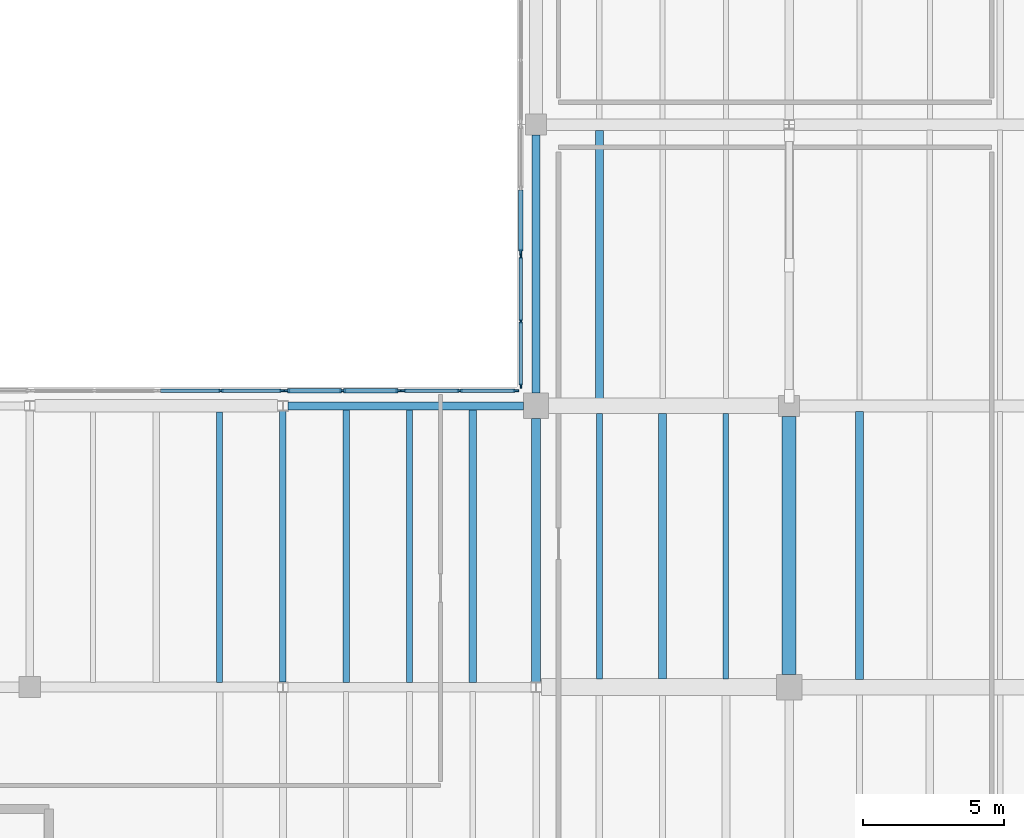
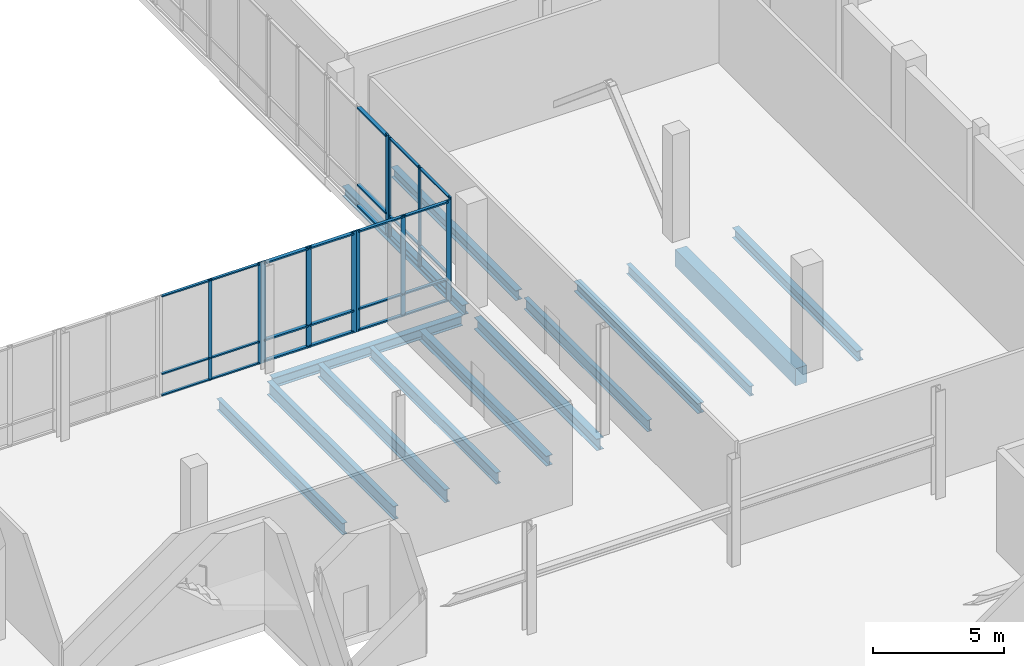
# One storey, part 37 of 88: 39 members, 14 beams, 5 elements without a shape of their own.
"""IFC4 building model written with IfcOpenShell, lengths in metres."""

from ifc_helpers import new_model, si_unit, direction, frame, origin, origin_2d, place, context, subcontext, project, spatial, rectangle, i_section, extrude, material, material_profile, profile_set, type_object, element, aggregate, save


model = new_model("IFC4")

# Units and contexts
model_context = context("Model", 3, precision=1e-05, world=origin(), true_north=direction((0.0, 1.0)))
body_context = subcontext(model_context, "Body", "Model", "MODEL_VIEW")
ifc_project = project(units=[si_unit("LENGTHUNIT", "METRE"), si_unit("AREAUNIT", "SQUARE_METRE"), si_unit("VOLUMEUNIT", "CUBIC_METRE"), si_unit("PLANEANGLEUNIT", "RADIAN"), si_unit("MASSUNIT", "GRAM", prefix="KILO")], contexts=[model_context])

# Site, building, storey
site_placement = place(None, origin())
site = spatial("IfcSite", under=ifc_project, at=site_placement, CompositionType="ELEMENT")
building_placement = place(site_placement, origin())
building = spatial("IfcBuilding", under=site, at=building_placement, Name="Trimount Lyric Opera House", CompositionType="ELEMENT")
storey_placement = place(building_placement, origin())
storey = spatial("IfcBuildingStorey", under=building, at=storey_placement, Name="L00", CompositionType="ELEMENT", Elevation=0.0)

# Beams
ifc_material_1 = material(Name="Steel ASTM A992 Grade 50", Category="steel")
ifc_material_profile_1 = material_profile(ifc_material_1, i_section(OverallWidth=0.22998046875, OverallDepth=0.616943359375, WebThickness=0.01318359375, FlangeThickness=0.022216796875, FilletRadius=0.013916015625, at=origin_2d()), Name="W24X94")
ifc_profile_set_1 = profile_set([ifc_material_profile_1], Name="Steel ASTM A992 Grade 50")
beam_type_1 = type_object("IfcBeamType", Name="B-11", PredefinedType="BEAM", material=ifc_profile_set_1)
beam_1_placement = place(storey_placement, frame((36.0, 64.177978515625, -0.658447265625), z_axis=(0.0, 1.0, 0.0), x_axis=(-1.0, 0.0, 0.0)))
element("IfcBeam", 1, at=beam_1_placement, inside=storey, type_object=beam_type_1, Name="L00 girder Y-0280", PredefinedType="BEAM", context=body_context, shape_type="SweptSolid", body=[
    extrude(i_section(OverallWidth=0.22998046875, OverallDepth=0.616943359375, WebThickness=0.01318359375, FlangeThickness=0.022216796875, FilletRadius=0.013916015625, at=origin_2d()), origin(), (0.0, 0.0, 1.0), 9.637939453125),
])
ifc_material_2 = material(Name="Steel ASTM A992 Grade 50", Category="steel")
ifc_material_profile_2 = material_profile(ifc_material_2, i_section(OverallWidth=0.31201171875, OverallDepth=0.5458984375, WebThickness=0.013916015625, FlangeThickness=0.022216796875, FilletRadius=0.014892578125, at=origin_2d()), Name="W21X111")
ifc_profile_set_2 = profile_set([ifc_material_profile_2], Name="Steel ASTM A992 Grade 50")
beam_type_2 = type_object("IfcBeamType", Name="B-12", PredefinedType="BEAM", material=ifc_profile_set_2)
beam_2_placement = place(storey_placement, frame((45.0, 64.18408203125, -0.623046875), z_axis=(0.0, 1.0, 0.0), x_axis=(-1.0, 0.0, 0.0)))
element("IfcBeam", 2, at=beam_2_placement, inside=storey, type_object=beam_type_2, Name="L00 girder Y-0290", PredefinedType="BEAM", context=body_context, shape_type="SweptSolid", body=[
    extrude(i_section(OverallWidth=0.31201171875, OverallDepth=0.5458984375, WebThickness=0.013916015625, FlangeThickness=0.022216796875, FilletRadius=0.014892578125, at=origin_2d()), origin(), (0.0, 0.0, 1.0), 9.365966796875),
])
ifc_material_3 = material(Name="Concrete C40/50", Category="concrete")
ifc_material_profile_3 = material_profile(ifc_material_3, rectangle(XDim=0.5, YDim=0.800048828125, at=origin_2d()), Name="RC500X800")
ifc_profile_set_3 = profile_set([ifc_material_profile_3], Name="Concrete C40/50")
beam_type_3 = type_object("IfcBeamType", Name="B-15", PredefinedType="BEAM", material=ifc_profile_set_3)
beam_3_placement = place(storey_placement, frame((54.0, 64.449951171875, -0.75), z_axis=(0.0, 1.0, 0.0), x_axis=(-1.0, 0.0, 0.0)))
element("IfcBeam", 3, at=beam_3_placement, inside=storey, type_object=beam_type_3, Name="L00 girder Y-0303", PredefinedType="BEAM", context=body_context, shape_type="SweptSolid", body=[
    extrude(rectangle(XDim=0.5, YDim=0.800048828125, at=origin_2d()), origin(), (0.0, 0.0, 1.0), 9.175048828125),
])
ifc_material_4 = material(Name="Steel ASTM A992 Grade 50", Category="steel")
ifc_material_profile_4 = material_profile(ifc_material_4, i_section(OverallWidth=0.22802734375, OverallDepth=0.60205078125, WebThickness=0.010498046875, FlangeThickness=0.014892578125, FilletRadius=0.012939453125, at=origin_2d()), Name="W24X68")
ifc_profile_set_4 = profile_set([ifc_material_profile_4], Name="Steel ASTM A992 Grade 50")
beam_type_4 = type_object("IfcBeamType", Name="J-01", PredefinedType="BEAM", material=ifc_profile_set_4)
beam_4_placement = place(storey_placement, frame((38.25, 64.159912109375, -0.65087890625), z_axis=(0.0, 1.0, 0.0), x_axis=(-1.0, 0.0, 0.0)))
element("IfcBeam", 4, at=beam_4_placement, inside=storey, type_object=beam_type_4, Name="L00 composite floor joist 0107", PredefinedType="BEAM", context=body_context, shape_type="SweptSolid", body=[
    extrude(i_section(OverallWidth=0.22802734375, OverallDepth=0.60205078125, WebThickness=0.010498046875, FlangeThickness=0.014892578125, FilletRadius=0.012939453125, at=origin_2d()), origin(), (0.0, 0.0, 1.0), 9.703125),
])
ifc_material_5 = material(Name="Steel ASTM A992 Grade 50", Category="steel")
ifc_material_profile_5 = material_profile(ifc_material_5, i_section(OverallWidth=0.2099609375, OverallDepth=0.532958984375, WebThickness=0.01025390625, FlangeThickness=0.015625, FilletRadius=0.012939453125, at=origin_2d()), Name="W21X62")
ifc_profile_set_5 = profile_set([ifc_material_profile_5], Name="Steel ASTM A992 Grade 50")
beam_type_5 = type_object("IfcBeamType", Name="J-02", PredefinedType="BEAM", material=ifc_profile_set_5)
beam_5_placement = place(storey_placement, frame((33.75, 64.174072265625, -0.616455078125), z_axis=(0.0, 1.0, 0.0), x_axis=(-1.0, 0.0, 0.0)))
element("IfcBeam", 5, at=beam_5_placement, inside=storey, type_object=beam_type_5, Name="L00 composite floor joist 0091", PredefinedType="BEAM", context=body_context, shape_type="SweptSolid", body=[
    extrude(i_section(OverallWidth=0.2099609375, OverallDepth=0.532958984375, WebThickness=0.01025390625, FlangeThickness=0.015625, FilletRadius=0.012939453125, at=origin_2d()), origin(), (0.0, 0.0, 1.0), 9.60498046875),
])
beam_6_placement = place(storey_placement, frame((40.5, 64.159912109375, -0.616455078125), z_axis=(0.0, 1.0, 0.0), x_axis=(-1.0, 0.0, 0.0)))
element("IfcBeam", 6, at=beam_6_placement, inside=storey, type_object=beam_type_5, Name="L00 composite floor joist 0108", PredefinedType="BEAM", context=body_context, shape_type="SweptSolid", body=[
    extrude(i_section(OverallWidth=0.2099609375, OverallDepth=0.532958984375, WebThickness=0.01025390625, FlangeThickness=0.015625, FilletRadius=0.012939453125, at=origin_2d()), origin(), (0.0, 0.0, 1.0), 9.703125),
])
beam_7_placement = place(storey_placement, frame((47.25, 64.2958984375, -0.616455078125), z_axis=(0.0, 1.0, 0.0), x_axis=(-1.0, 0.0, 0.0)))
element("IfcBeam", 7, at=beam_7_placement, inside=storey, type_object=beam_type_5, Name="L00 composite floor joist 0136", PredefinedType="BEAM", context=body_context, shape_type="SweptSolid", body=[
    extrude(i_section(OverallWidth=0.2099609375, OverallDepth=0.532958984375, WebThickness=0.01025390625, FlangeThickness=0.015625, FilletRadius=0.012939453125, at=origin_2d()), origin(), (0.0, 0.0, 1.0), 9.43310546875),
])
ifc_material_6 = material(Name="Steel ASTM A992 Grade 50", Category="steel")
ifc_material_profile_6 = material_profile(ifc_material_6, i_section(OverallWidth=0.281982421875, OverallDepth=0.467041015625, WebThickness=0.01220703125, FlangeThickness=0.01953125, FilletRadius=0.012939453125, at=origin_2d()), Name="W18X86")
ifc_profile_set_6 = profile_set([ifc_material_profile_6], Name="Steel ASTM A992 Grade 50")
beam_type_6 = type_object("IfcBeamType", Name="J-03", PredefinedType="BEAM", material=ifc_profile_set_6)
beam_8_placement = place(storey_placement, frame((42.75, 64.159912109375, -0.58349609375), z_axis=(0.0, 1.0, 0.0), x_axis=(-1.0, 0.0, 0.0)))
element("IfcBeam", 8, at=beam_8_placement, inside=storey, type_object=beam_type_6, Name="L00 composite floor joist 0109", PredefinedType="BEAM", context=body_context, shape_type="SweptSolid", body=[
    extrude(i_section(OverallWidth=0.281982421875, OverallDepth=0.467041015625, WebThickness=0.01220703125, FlangeThickness=0.01953125, FilletRadius=0.012939453125, at=origin_2d()), origin(), (0.0, 0.0, 1.0), 9.703125),
])
beam_9_placement = place(storey_placement, frame((49.5, 64.2958984375, -0.58349609375), z_axis=(0.0, 1.0, 0.0), x_axis=(-1.0, 0.0, 0.0)))
element("IfcBeam", 9, at=beam_9_placement, inside=storey, type_object=beam_type_6, Name="L00 composite floor joist 0137", PredefinedType="BEAM", context=body_context, shape_type="SweptSolid", body=[
    extrude(i_section(OverallWidth=0.281982421875, OverallDepth=0.467041015625, WebThickness=0.01220703125, FlangeThickness=0.01953125, FilletRadius=0.012939453125, at=origin_2d()), origin(), (0.0, 0.0, 1.0), 9.43310546875),
])
for number, where, z_axis, x_axis, name in (
    (10, (47.25, 74.27099609375, -0.58349609375), (0.0, 1.0, 0.0), (-1.0, 0.0, 0.0), "L00 composite floor joist 0139"),
    (11, (56.5, 64.27099609375, -0.58349609375), (0.0, 1.0, 0.0), (-1.0, 0.0, 0.0), "L00 composite floor joist 0172"),
):
    element("IfcBeam", number, at=place(storey_placement, frame(where, z_axis=z_axis, x_axis=x_axis)), inside=storey, type_object=beam_type_6, Name=name, PredefinedType="BEAM", context=body_context, shape_type="SweptSolid", body=[
        extrude(i_section(OverallWidth=0.281982421875, OverallDepth=0.467041015625, WebThickness=0.01220703125, FlangeThickness=0.01953125, FilletRadius=0.012939453125, at=origin_2d()), origin(), (0.0, 0.0, 1.0), 9.5234375),
    ])
ifc_material_7 = material(Name="Steel ASTM A992 Grade 50", Category="steel")
ifc_material_profile_7 = material_profile(ifc_material_7, i_section(OverallWidth=0.19091796875, OverallDepth=0.45703125, WebThickness=0.009033203125, FlangeThickness=0.014404296875, FilletRadius=0.010986328125, at=origin_2d()), Name="W18X50")
ifc_profile_set_7 = profile_set([ifc_material_profile_7], Name="Steel ASTM A992 Grade 50")
beam_type_7 = type_object("IfcBeamType", Name="J-04", PredefinedType="BEAM", material=ifc_profile_set_7)
beam_10_placement = place(storey_placement, frame((51.75, 64.2958984375, -0.57861328125), z_axis=(0.0, 1.0, 0.0), x_axis=(-1.0, 0.0, 0.0)))
element("IfcBeam", 12, at=beam_10_placement, inside=storey, type_object=beam_type_7, Name="L00 composite floor joist 0138", PredefinedType="BEAM", context=body_context, shape_type="SweptSolid", body=[
    extrude(i_section(OverallWidth=0.19091796875, OverallDepth=0.45703125, WebThickness=0.009033203125, FlangeThickness=0.014404296875, FilletRadius=0.010986328125, at=origin_2d()), origin(), (0.0, 0.0, 1.0), 9.43310546875),
])

# Curtain wall, member
ifc_material_8 = material(Name="Thermally Broken Aluminium and Low-E Glass", Category="aluminium")
curtain_wall_type = type_object("IfcCurtainWallType", Name="CW-03", PredefinedType="NOTDEFINED", material=ifc_material_8)
curtain_wall_1_placement = place(storey_placement, origin())
curtain_wall_1 = element("IfcCurtainWall", 13, at=curtain_wall_1_placement, inside=storey, type_object=curtain_wall_type, Name="L00 curtain wall 060", PredefinedType="NOTDEFINED")
ifc_material_9 = material(Name="Anodised Aluminium 6063-T6", Category="aluminium")
ifc_material_profile_8 = material_profile(ifc_material_9, rectangle(XDim=0.070068359375, YDim=0.219970703125, at=origin_2d()), Name="ALU-MULL-70X220")
ifc_profile_set_8 = profile_set([ifc_material_profile_8], Name="Anodised Aluminium 6063-T6")
member_type_1 = type_object("IfcMemberType", Name="ML-01", PredefinedType="MULLION", material=ifc_profile_set_8)
member_1_placement = place(storey_placement, frame((44.4599609375, 79.465087890625, 0.0), z_axis=(0.0, 0.0, 1.0), x_axis=(-1.0, 0.0, 0.0)))
member_1 = element("IfcMember", 14, at=member_1_placement, type_object=member_type_1, Name="CW-03 mullion 1", PredefinedType="MULLION", context=body_context, shape_type="SweptSolid", body=[
    extrude(rectangle(XDim=0.070068359375, YDim=0.219970703125, at=origin_2d()), origin(), (0.0, 0.0, 1.0), 4.719970703125),
])

# Curtain wall, members
curtain_wall_2_placement = place(storey_placement, origin())
curtain_wall_2 = element("IfcCurtainWall", 15, at=curtain_wall_2_placement, inside=storey, type_object=curtain_wall_type, Name="L00 curtain wall 081", PredefinedType="NOTDEFINED")
member_2_placement = place(storey_placement, frame((36.125, 74.5400390625, 0.0), z_axis=(0.0, 0.0, 1.0), x_axis=(0.0, 1.0, 0.0)))
member_2 = element("IfcMember", 16, at=member_2_placement, type_object=member_type_1, Name="CW-03 mullion 1", PredefinedType="MULLION", context=body_context, shape_type="SweptSolid", body=[
    extrude(rectangle(XDim=0.070068359375, YDim=0.219970703125, at=origin_2d()), origin(), (0.0, 0.0, 1.0), 4.719970703125),
])
member_3_placement = place(storey_placement, frame((38.125, 74.5400390625, 0.0), z_axis=(0.0, 0.0, 1.0), x_axis=(0.0, 1.0, 0.0)))
member_3 = element("IfcMember", 17, at=member_3_placement, type_object=member_type_1, Name="CW-03 mullion 2", PredefinedType="MULLION", context=body_context, shape_type="SweptSolid", body=[
    extrude(rectangle(XDim=0.070068359375, YDim=0.219970703125, at=origin_2d()), origin(), (0.0, 0.0, 1.0), 4.719970703125),
])
member_4_placement = place(storey_placement, frame((40.125, 74.5400390625, 0.0), z_axis=(0.0, 0.0, 1.0), x_axis=(0.0, 1.0, 0.0)))
member_4 = element("IfcMember", 18, at=member_4_placement, type_object=member_type_1, Name="CW-03 mullion 3", PredefinedType="MULLION", context=body_context, shape_type="SweptSolid", body=[
    extrude(rectangle(XDim=0.070068359375, YDim=0.219970703125, at=origin_2d()), origin(), (0.0, 0.0, 1.0), 4.719970703125),
])

curtain_wall_3_placement = place(storey_placement, origin())
curtain_wall_3 = element("IfcCurtainWall", 19, at=curtain_wall_3_placement, inside=storey, type_object=curtain_wall_type, Name="L00 curtain wall 082", PredefinedType="NOTDEFINED")
ifc_material_10 = material(Name="Anodised Aluminium 6063-T6", Category="aluminium")
ifc_material_profile_9 = material_profile(ifc_material_10, rectangle(XDim=0.06494140625, YDim=0.179931640625, at=origin_2d()), Name="ALU-MULL-65X180")
ifc_profile_set_9 = profile_set([ifc_material_profile_9], Name="Anodised Aluminium 6063-T6")
member_type_2 = type_object("IfcMemberType", Name="ML-02", PredefinedType="MULLION", material=ifc_profile_set_9)
member_5_placement = place(storey_placement, frame((40.282470703125, 74.5400390625, 0.0), z_axis=(0.0, 0.0, 1.0), x_axis=(0.0, 1.0, 0.0)))
member_5 = element("IfcMember", 20, at=member_5_placement, type_object=member_type_2, Name="CW-03 mullion 1", PredefinedType="MULLION", context=body_context, shape_type="SweptSolid", body=[
    extrude(rectangle(XDim=0.06494140625, YDim=0.179931640625, at=origin_2d()), origin(), (0.0, 0.0, 1.0), 4.719970703125),
])
member_6_placement = place(storey_placement, frame((42.284912109375, 74.5400390625, 0.0), z_axis=(0.0, 0.0, 1.0), x_axis=(0.0, 1.0, 0.0)))
member_6 = element("IfcMember", 21, at=member_6_placement, type_object=member_type_2, Name="CW-03 mullion 2", PredefinedType="MULLION", context=body_context, shape_type="SweptSolid", body=[
    extrude(rectangle(XDim=0.06494140625, YDim=0.179931640625, at=origin_2d()), origin(), (0.0, 0.0, 1.0), 4.719970703125),
])
member_7_placement = place(storey_placement, frame((44.28759765625, 74.5400390625, 0.0), z_axis=(0.0, 0.0, 1.0), x_axis=(0.0, 1.0, 0.0)))
member_7 = element("IfcMember", 22, at=member_7_placement, type_object=member_type_2, Name="CW-03 mullion 3", PredefinedType="MULLION", context=body_context, shape_type="SweptSolid", body=[
    extrude(rectangle(XDim=0.06494140625, YDim=0.179931640625, at=origin_2d()), origin(), (0.0, 0.0, 1.0), 4.719970703125),
])

curtain_wall_4_placement = place(storey_placement, origin())
curtain_wall_4 = element("IfcCurtainWall", 23, at=curtain_wall_4_placement, inside=storey, type_object=curtain_wall_type, Name="L00 curtain wall 059", PredefinedType="NOTDEFINED")
ifc_material_11 = material(Name="Anodised Aluminium 6063-T6", Category="aluminium")
ifc_material_profile_10 = material_profile(ifc_material_11, rectangle(XDim=0.06005859375, YDim=0.14990234375, at=origin_2d()), Name="ALU-MULL-60X150")
ifc_profile_set_10 = profile_set([ifc_material_profile_10], Name="Anodised Aluminium 6063-T6")
member_type_3 = type_object("IfcMemberType", Name="ML-03", PredefinedType="MULLION", material=ifc_profile_set_10)
member_8_placement = place(storey_placement, frame((44.4599609375, 74.7099609375, 0.0), z_axis=(0.0, 0.0, 1.0), x_axis=(-1.0, 0.0, 0.0)))
member_8 = element("IfcMember", 24, at=member_8_placement, type_object=member_type_3, Name="CW-03 mullion 1", PredefinedType="MULLION", context=body_context, shape_type="SweptSolid", body=[
    extrude(rectangle(XDim=0.06005859375, YDim=0.14990234375, at=origin_2d()), origin(), (0.0, 0.0, 1.0), 4.719970703125),
])
member_9_placement = place(storey_placement, frame((44.4599609375, 77.010009765625, 0.0), z_axis=(0.0, 0.0, 1.0), x_axis=(-1.0, 0.0, 0.0)))
member_9 = element("IfcMember", 25, at=member_9_placement, type_object=member_type_3, Name="CW-03 mullion 2", PredefinedType="MULLION", context=body_context, shape_type="SweptSolid", body=[
    extrude(rectangle(XDim=0.06005859375, YDim=0.14990234375, at=origin_2d()), origin(), (0.0, 0.0, 1.0), 4.719970703125),
])
member_10_placement = place(storey_placement, frame((44.4599609375, 79.31005859375, 0.0), z_axis=(0.0, 0.0, 1.0), x_axis=(-1.0, 0.0, 0.0)))
member_10 = element("IfcMember", 26, at=member_10_placement, type_object=member_type_3, Name="CW-03 mullion 3", PredefinedType="MULLION", context=body_context, shape_type="SweptSolid", body=[
    extrude(rectangle(XDim=0.06005859375, YDim=0.14990234375, at=origin_2d()), origin(), (0.0, 0.0, 1.0), 4.719970703125),
])

curtain_wall_5_placement = place(storey_placement, origin())
curtain_wall_5 = element("IfcCurtainWall", 27, at=curtain_wall_5_placement, inside=storey, type_object=curtain_wall_type, Name="L00 curtain wall 080", PredefinedType="NOTDEFINED")
member_11_placement = place(storey_placement, frame((33.794921875, 74.5400390625, 0.0), z_axis=(0.0, 0.0, 1.0), x_axis=(0.0, 1.0, 0.0)))
member_11 = element("IfcMember", 28, at=member_11_placement, type_object=member_type_3, Name="CW-03 mullion 2", PredefinedType="MULLION", context=body_context, shape_type="SweptSolid", body=[
    extrude(rectangle(XDim=0.06005859375, YDim=0.14990234375, at=origin_2d()), origin(), (0.0, 0.0, 1.0), 4.719970703125),
])
member_12_placement = place(storey_placement, frame((35.969970703125, 74.5400390625, 0.0), z_axis=(0.0, 0.0, 1.0), x_axis=(0.0, 1.0, 0.0)))
member_12 = element("IfcMember", 29, at=member_12_placement, type_object=member_type_3, Name="CW-03 mullion 3", PredefinedType="MULLION", context=body_context, shape_type="SweptSolid", body=[
    extrude(rectangle(XDim=0.06005859375, YDim=0.14990234375, at=origin_2d()), origin(), (0.0, 0.0, 1.0), 4.719970703125),
])

# Beams
ifc_material_12 = material(Name="Steel ASTM A992 Grade 50", Category="steel")
ifc_material_profile_11 = material_profile(ifc_material_12, i_section(OverallWidth=0.281982421875, OverallDepth=0.467041015625, WebThickness=0.01220703125, FlangeThickness=0.01953125, FilletRadius=0.012939453125, at=origin_2d()), Name="W18X86")
ifc_profile_set_11 = profile_set([ifc_material_profile_11], Name="Steel ASTM A992 Grade 50")
beam_type_8 = type_object("IfcBeamType", Name="SP-01", PredefinedType="SPANDREL", material=ifc_profile_set_11)
beam_11_placement = place(storey_placement, frame((36.1865234375, 74.0, -0.58349609375), z_axis=(1.0, 0.0, 0.0), x_axis=(0.0, 1.0, 0.0)))
element("IfcBeam", 30, at=beam_11_placement, inside=storey, type_object=beam_type_8, Name="L00 girder X-0145", PredefinedType="SPANDREL", context=body_context, shape_type="SweptSolid", body=[
    extrude(i_section(OverallWidth=0.281982421875, OverallDepth=0.467041015625, WebThickness=0.01220703125, FlangeThickness=0.01953125, FilletRadius=0.012939453125, at=origin_2d()), origin(), (0.0, 0.0, 1.0), 8.363525390625),
])
beam_12_placement = place(storey_placement, frame((45.0, 74.449951171875, -0.58349609375), z_axis=(0.0, 1.0, 0.0), x_axis=(-1.0, 0.0, 0.0)))
element("IfcBeam", 31, at=beam_12_placement, inside=storey, type_object=beam_type_8, Name="L00 girder Y-0291", PredefinedType="SPANDREL", context=body_context, shape_type="SweptSolid", body=[
    extrude(i_section(OverallWidth=0.281982421875, OverallDepth=0.467041015625, WebThickness=0.01220703125, FlangeThickness=0.01953125, FilletRadius=0.012939453125, at=origin_2d()), origin(), (0.0, 0.0, 1.0), 9.175048828125),
])

# Member
ifc_material_13 = material(Name="Anodised Aluminium 6063-T6", Category="aluminium")
ifc_material_profile_12 = material_profile(ifc_material_13, rectangle(XDim=0.159912109375, YDim=0.070068359375, at=origin_2d()), Name="ALU-TRAN-70X160")
ifc_profile_set_12 = profile_set([ifc_material_profile_12], Name="Anodised Aluminium 6063-T6")
member_type_4 = type_object("IfcMemberType", Name="TR-01", PredefinedType="USERDEFINED", material=ifc_profile_set_12)
member_13_placement = place(storey_placement, frame((44.4599609375, 79.5, 0.080078125), z_axis=(0.0, 1.0, 0.0), x_axis=(-1.0, 0.0, 0.0)))
member_13 = element("IfcMember", 32, at=member_13_placement, type_object=member_type_4, Name="CW-03 transom 1.1", ObjectType="TRANSOM", PredefinedType="USERDEFINED", context=body_context, shape_type="SweptSolid", body=[
    extrude(rectangle(XDim=0.159912109375, YDim=0.070068359375, at=origin_2d()), origin(), (0.0, 0.0, 1.0), 2.179931640625),
])

member_14_placement = place(storey_placement, frame((44.4599609375, 79.5, 1.050048828125), z_axis=(0.0, 1.0, 0.0), x_axis=(-1.0, 0.0, 0.0)))
member_14 = element("IfcMember", 33, at=member_14_placement, type_object=member_type_4, Name="CW-03 transom 1.2", ObjectType="TRANSOM", PredefinedType="USERDEFINED", context=body_context, shape_type="SweptSolid", body=[
    extrude(rectangle(XDim=0.159912109375, YDim=0.070068359375, at=origin_2d()), origin(), (0.0, 0.0, 1.0), 2.179931640625),
])

member_15_placement = place(storey_placement, frame((44.4599609375, 79.5, 4.639892578125), z_axis=(0.0, 1.0, 0.0), x_axis=(-1.0, 0.0, 0.0)))
member_15 = element("IfcMember", 34, at=member_15_placement, type_object=member_type_4, Name="CW-03 transom 1.3", ObjectType="TRANSOM", PredefinedType="USERDEFINED", context=body_context, shape_type="SweptSolid", body=[
    extrude(rectangle(XDim=0.159912109375, YDim=0.070068359375, at=origin_2d()), origin(), (0.0, 0.0, 1.0), 2.179931640625),
])

aggregate(curtain_wall_1, [member_1, member_13, member_14, member_15])

member_16_placement = place(storey_placement, frame((36.159912109375, 74.5400390625, 0.080078125), z_axis=(1.0, 0.0, 0.0), x_axis=(0.0, 1.0, 0.0)))
member_16 = element("IfcMember", 35, at=member_16_placement, type_object=member_type_4, Name="CW-03 transom 1.1", ObjectType="TRANSOM", PredefinedType="USERDEFINED", context=body_context, shape_type="SweptSolid", body=[
    extrude(rectangle(XDim=0.159912109375, YDim=0.070068359375, at=origin_2d()), origin(), (0.0, 0.0, 1.0), 1.93017578125),
])

member_17_placement = place(storey_placement, frame((36.159912109375, 74.5400390625, 1.050048828125), z_axis=(1.0, 0.0, 0.0), x_axis=(0.0, 1.0, 0.0)))
member_17 = element("IfcMember", 36, at=member_17_placement, type_object=member_type_4, Name="CW-03 transom 1.2", ObjectType="TRANSOM", PredefinedType="USERDEFINED", context=body_context, shape_type="SweptSolid", body=[
    extrude(rectangle(XDim=0.159912109375, YDim=0.070068359375, at=origin_2d()), origin(), (0.0, 0.0, 1.0), 1.93017578125),
])

member_18_placement = place(storey_placement, frame((36.159912109375, 74.5400390625, 4.639892578125), z_axis=(1.0, 0.0, 0.0), x_axis=(0.0, 1.0, 0.0)))
member_18 = element("IfcMember", 37, at=member_18_placement, type_object=member_type_4, Name="CW-03 transom 1.3", ObjectType="TRANSOM", PredefinedType="USERDEFINED", context=body_context, shape_type="SweptSolid", body=[
    extrude(rectangle(XDim=0.159912109375, YDim=0.070068359375, at=origin_2d()), origin(), (0.0, 0.0, 1.0), 1.93017578125),
])

member_19_placement = place(storey_placement, frame((38.159912109375, 74.5400390625, 0.080078125), z_axis=(1.0, 0.0, 0.0), x_axis=(0.0, 1.0, 0.0)))
member_19 = element("IfcMember", 38, at=member_19_placement, type_object=member_type_4, Name="CW-03 transom 2.1", ObjectType="TRANSOM", PredefinedType="USERDEFINED", context=body_context, shape_type="SweptSolid", body=[
    extrude(rectangle(XDim=0.159912109375, YDim=0.070068359375, at=origin_2d()), origin(), (0.0, 0.0, 1.0), 1.93017578125),
])

member_20_placement = place(storey_placement, frame((38.159912109375, 74.5400390625, 1.050048828125), z_axis=(1.0, 0.0, 0.0), x_axis=(0.0, 1.0, 0.0)))
member_20 = element("IfcMember", 39, at=member_20_placement, type_object=member_type_4, Name="CW-03 transom 2.2", ObjectType="TRANSOM", PredefinedType="USERDEFINED", context=body_context, shape_type="SweptSolid", body=[
    extrude(rectangle(XDim=0.159912109375, YDim=0.070068359375, at=origin_2d()), origin(), (0.0, 0.0, 1.0), 1.93017578125),
])

member_21_placement = place(storey_placement, frame((38.159912109375, 74.5400390625, 4.639892578125), z_axis=(1.0, 0.0, 0.0), x_axis=(0.0, 1.0, 0.0)))
member_21 = element("IfcMember", 40, at=member_21_placement, type_object=member_type_4, Name="CW-03 transom 2.3", ObjectType="TRANSOM", PredefinedType="USERDEFINED", context=body_context, shape_type="SweptSolid", body=[
    extrude(rectangle(XDim=0.159912109375, YDim=0.070068359375, at=origin_2d()), origin(), (0.0, 0.0, 1.0), 1.93017578125),
])

aggregate(curtain_wall_2, [member_2, member_3, member_4, member_16, member_17, member_18, member_19, member_20, member_21])

ifc_material_14 = material(Name="Anodised Aluminium 6063-T6", Category="aluminium")
ifc_material_profile_13 = material_profile(ifc_material_14, rectangle(XDim=0.135009765625, YDim=0.06494140625, at=origin_2d()), Name="ALU-TRAN-65X135")
ifc_profile_set_13 = profile_set([ifc_material_profile_13], Name="Anodised Aluminium 6063-T6")
member_type_5 = type_object("IfcMemberType", Name="TR-02", PredefinedType="USERDEFINED", material=ifc_profile_set_13)
member_22_placement = place(storey_placement, frame((40.31494140625, 74.5400390625, 0.0673828125), z_axis=(1.0, 0.0, 0.0), x_axis=(0.0, 1.0, 0.0)))
member_22 = element("IfcMember", 41, at=member_22_placement, type_object=member_type_5, Name="CW-03 transom 1.1", ObjectType="TRANSOM", PredefinedType="USERDEFINED", context=body_context, shape_type="SweptSolid", body=[
    extrude(rectangle(XDim=0.135009765625, YDim=0.06494140625, at=origin_2d()), origin(), (0.0, 0.0, 1.0), 1.9375),
])

member_23_placement = place(storey_placement, frame((40.31494140625, 74.5400390625, 1.050048828125), z_axis=(1.0, 0.0, 0.0), x_axis=(0.0, 1.0, 0.0)))
member_23 = element("IfcMember", 42, at=member_23_placement, type_object=member_type_5, Name="CW-03 transom 1.2", ObjectType="TRANSOM", PredefinedType="USERDEFINED", context=body_context, shape_type="SweptSolid", body=[
    extrude(rectangle(XDim=0.135009765625, YDim=0.06494140625, at=origin_2d()), origin(), (0.0, 0.0, 1.0), 1.9375),
])

member_24_placement = place(storey_placement, frame((40.31494140625, 74.5400390625, 4.652587890625), z_axis=(1.0, 0.0, 0.0), x_axis=(0.0, 1.0, 0.0)))
member_24 = element("IfcMember", 43, at=member_24_placement, type_object=member_type_5, Name="CW-03 transom 1.3", ObjectType="TRANSOM", PredefinedType="USERDEFINED", context=body_context, shape_type="SweptSolid", body=[
    extrude(rectangle(XDim=0.135009765625, YDim=0.06494140625, at=origin_2d()), origin(), (0.0, 0.0, 1.0), 1.9375),
])

member_25_placement = place(storey_placement, frame((42.3173828125, 74.5400390625, 0.0673828125), z_axis=(1.0, 0.0, 0.0), x_axis=(0.0, 1.0, 0.0)))
member_25 = element("IfcMember", 44, at=member_25_placement, type_object=member_type_5, Name="CW-03 transom 2.1", ObjectType="TRANSOM", PredefinedType="USERDEFINED", context=body_context, shape_type="SweptSolid", body=[
    extrude(rectangle(XDim=0.135009765625, YDim=0.06494140625, at=origin_2d()), origin(), (0.0, 0.0, 1.0), 1.9375),
])

member_26_placement = place(storey_placement, frame((42.3173828125, 74.5400390625, 1.050048828125), z_axis=(1.0, 0.0, 0.0), x_axis=(0.0, 1.0, 0.0)))
member_26 = element("IfcMember", 45, at=member_26_placement, type_object=member_type_5, Name="CW-03 transom 2.2", ObjectType="TRANSOM", PredefinedType="USERDEFINED", context=body_context, shape_type="SweptSolid", body=[
    extrude(rectangle(XDim=0.135009765625, YDim=0.06494140625, at=origin_2d()), origin(), (0.0, 0.0, 1.0), 1.9375),
])

member_27_placement = place(storey_placement, frame((42.3173828125, 74.5400390625, 4.652587890625), z_axis=(1.0, 0.0, 0.0), x_axis=(0.0, 1.0, 0.0)))
member_27 = element("IfcMember", 46, at=member_27_placement, type_object=member_type_5, Name="CW-03 transom 2.3", ObjectType="TRANSOM", PredefinedType="USERDEFINED", context=body_context, shape_type="SweptSolid", body=[
    extrude(rectangle(XDim=0.135009765625, YDim=0.06494140625, at=origin_2d()), origin(), (0.0, 0.0, 1.0), 1.9375),
])

aggregate(curtain_wall_3, [member_5, member_6, member_7, member_22, member_23, member_24, member_25, member_26, member_27])

ifc_material_15 = material(Name="Anodised Aluminium 6063-T6", Category="aluminium")
ifc_material_profile_14 = material_profile(ifc_material_15, rectangle(XDim=0.114990234375, YDim=0.06005859375, at=origin_2d()), Name="ALU-TRAN-60X115")
ifc_profile_set_14 = profile_set([ifc_material_profile_14], Name="Anodised Aluminium 6063-T6")
member_type_6 = type_object("IfcMemberType", Name="TR-03", PredefinedType="USERDEFINED", material=ifc_profile_set_14)
member_28_placement = place(storey_placement, frame((44.4599609375, 74.739990234375, 0.0576171875), z_axis=(0.0, 1.0, 0.0), x_axis=(-1.0, 0.0, 0.0)))
member_28 = element("IfcMember", 47, at=member_28_placement, type_object=member_type_6, Name="CW-03 transom 1.1", ObjectType="TRANSOM", PredefinedType="USERDEFINED", context=body_context, shape_type="SweptSolid", body=[
    extrude(rectangle(XDim=0.114990234375, YDim=0.06005859375, at=origin_2d()), origin(), (0.0, 0.0, 1.0), 2.239990234375),
])

member_29_placement = place(storey_placement, frame((44.4599609375, 74.739990234375, 1.050048828125), z_axis=(0.0, 1.0, 0.0), x_axis=(-1.0, 0.0, 0.0)))
member_29 = element("IfcMember", 48, at=member_29_placement, type_object=member_type_6, Name="CW-03 transom 1.2", ObjectType="TRANSOM", PredefinedType="USERDEFINED", context=body_context, shape_type="SweptSolid", body=[
    extrude(rectangle(XDim=0.114990234375, YDim=0.06005859375, at=origin_2d()), origin(), (0.0, 0.0, 1.0), 2.239990234375),
])

member_30_placement = place(storey_placement, frame((44.4599609375, 74.739990234375, 4.66259765625), z_axis=(0.0, 1.0, 0.0), x_axis=(-1.0, 0.0, 0.0)))
member_30 = element("IfcMember", 49, at=member_30_placement, type_object=member_type_6, Name="CW-03 transom 1.3", ObjectType="TRANSOM", PredefinedType="USERDEFINED", context=body_context, shape_type="SweptSolid", body=[
    extrude(rectangle(XDim=0.114990234375, YDim=0.06005859375, at=origin_2d()), origin(), (0.0, 0.0, 1.0), 2.239990234375),
])

member_31_placement = place(storey_placement, frame((44.4599609375, 77.0400390625, 0.0576171875), z_axis=(0.0, 1.0, 0.0), x_axis=(-1.0, 0.0, 0.0)))
member_31 = element("IfcMember", 50, at=member_31_placement, type_object=member_type_6, Name="CW-03 transom 2.1", ObjectType="TRANSOM", PredefinedType="USERDEFINED", context=body_context, shape_type="SweptSolid", body=[
    extrude(rectangle(XDim=0.114990234375, YDim=0.06005859375, at=origin_2d()), origin(), (0.0, 0.0, 1.0), 2.239990234375),
])

member_32_placement = place(storey_placement, frame((44.4599609375, 77.0400390625, 1.050048828125), z_axis=(0.0, 1.0, 0.0), x_axis=(-1.0, 0.0, 0.0)))
member_32 = element("IfcMember", 51, at=member_32_placement, type_object=member_type_6, Name="CW-03 transom 2.2", ObjectType="TRANSOM", PredefinedType="USERDEFINED", context=body_context, shape_type="SweptSolid", body=[
    extrude(rectangle(XDim=0.114990234375, YDim=0.06005859375, at=origin_2d()), origin(), (0.0, 0.0, 1.0), 2.239990234375),
])

member_33_placement = place(storey_placement, frame((44.4599609375, 77.0400390625, 4.66259765625), z_axis=(0.0, 1.0, 0.0), x_axis=(-1.0, 0.0, 0.0)))
member_33 = element("IfcMember", 52, at=member_33_placement, type_object=member_type_6, Name="CW-03 transom 2.3", ObjectType="TRANSOM", PredefinedType="USERDEFINED", context=body_context, shape_type="SweptSolid", body=[
    extrude(rectangle(XDim=0.114990234375, YDim=0.06005859375, at=origin_2d()), origin(), (0.0, 0.0, 1.0), 2.239990234375),
])

aggregate(curtain_wall_4, [member_8, member_9, member_10, member_28, member_29, member_30, member_31, member_32, member_33])

member_34_placement = place(storey_placement, frame((31.64990234375, 74.5400390625, 0.0576171875), z_axis=(1.0, 0.0, 0.0), x_axis=(0.0, 1.0, 0.0)))
member_34 = element("IfcMember", 53, at=member_34_placement, type_object=member_type_6, Name="CW-03 transom 1.1", ObjectType="TRANSOM", PredefinedType="USERDEFINED", context=body_context, shape_type="SweptSolid", body=[
    extrude(rectangle(XDim=0.114990234375, YDim=0.06005859375, at=origin_2d()), origin(), (0.0, 0.0, 1.0), 2.114990234375),
])

member_35_placement = place(storey_placement, frame((31.64990234375, 74.5400390625, 1.050048828125), z_axis=(1.0, 0.0, 0.0), x_axis=(0.0, 1.0, 0.0)))
member_35 = element("IfcMember", 54, at=member_35_placement, type_object=member_type_6, Name="CW-03 transom 1.2", ObjectType="TRANSOM", PredefinedType="USERDEFINED", context=body_context, shape_type="SweptSolid", body=[
    extrude(rectangle(XDim=0.114990234375, YDim=0.06005859375, at=origin_2d()), origin(), (0.0, 0.0, 1.0), 2.114990234375),
])

member_36_placement = place(storey_placement, frame((31.64990234375, 74.5400390625, 4.66259765625), z_axis=(1.0, 0.0, 0.0), x_axis=(0.0, 1.0, 0.0)))
member_36 = element("IfcMember", 55, at=member_36_placement, type_object=member_type_6, Name="CW-03 transom 1.3", ObjectType="TRANSOM", PredefinedType="USERDEFINED", context=body_context, shape_type="SweptSolid", body=[
    extrude(rectangle(XDim=0.114990234375, YDim=0.06005859375, at=origin_2d()), origin(), (0.0, 0.0, 1.0), 2.114990234375),
])

member_37_placement = place(storey_placement, frame((33.824951171875, 74.5400390625, 0.0576171875), z_axis=(1.0, 0.0, 0.0), x_axis=(0.0, 1.0, 0.0)))
member_37 = element("IfcMember", 56, at=member_37_placement, type_object=member_type_6, Name="CW-03 transom 2.1", ObjectType="TRANSOM", PredefinedType="USERDEFINED", context=body_context, shape_type="SweptSolid", body=[
    extrude(rectangle(XDim=0.114990234375, YDim=0.06005859375, at=origin_2d()), origin(), (0.0, 0.0, 1.0), 2.114990234375),
])

member_38_placement = place(storey_placement, frame((33.824951171875, 74.5400390625, 1.050048828125), z_axis=(1.0, 0.0, 0.0), x_axis=(0.0, 1.0, 0.0)))
member_38 = element("IfcMember", 57, at=member_38_placement, type_object=member_type_6, Name="CW-03 transom 2.2", ObjectType="TRANSOM", PredefinedType="USERDEFINED", context=body_context, shape_type="SweptSolid", body=[
    extrude(rectangle(XDim=0.114990234375, YDim=0.06005859375, at=origin_2d()), origin(), (0.0, 0.0, 1.0), 2.114990234375),
])

member_39_placement = place(storey_placement, frame((33.824951171875, 74.5400390625, 4.66259765625), z_axis=(1.0, 0.0, 0.0), x_axis=(0.0, 1.0, 0.0)))
member_39 = element("IfcMember", 58, at=member_39_placement, type_object=member_type_6, Name="CW-03 transom 2.3", ObjectType="TRANSOM", PredefinedType="USERDEFINED", context=body_context, shape_type="SweptSolid", body=[
    extrude(rectangle(XDim=0.114990234375, YDim=0.06005859375, at=origin_2d()), origin(), (0.0, 0.0, 1.0), 2.114990234375),
])

aggregate(curtain_wall_5, [member_11, member_12, member_34, member_35, member_36, member_37, member_38, member_39])

save(model, "model.ifc")
